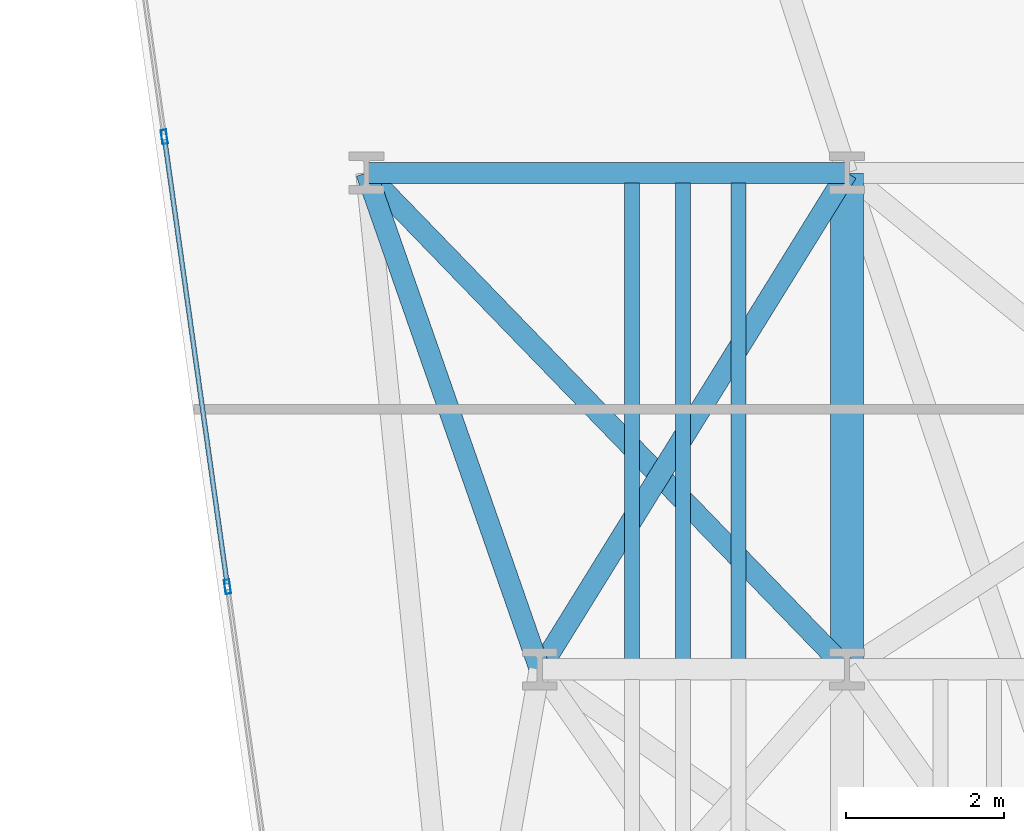
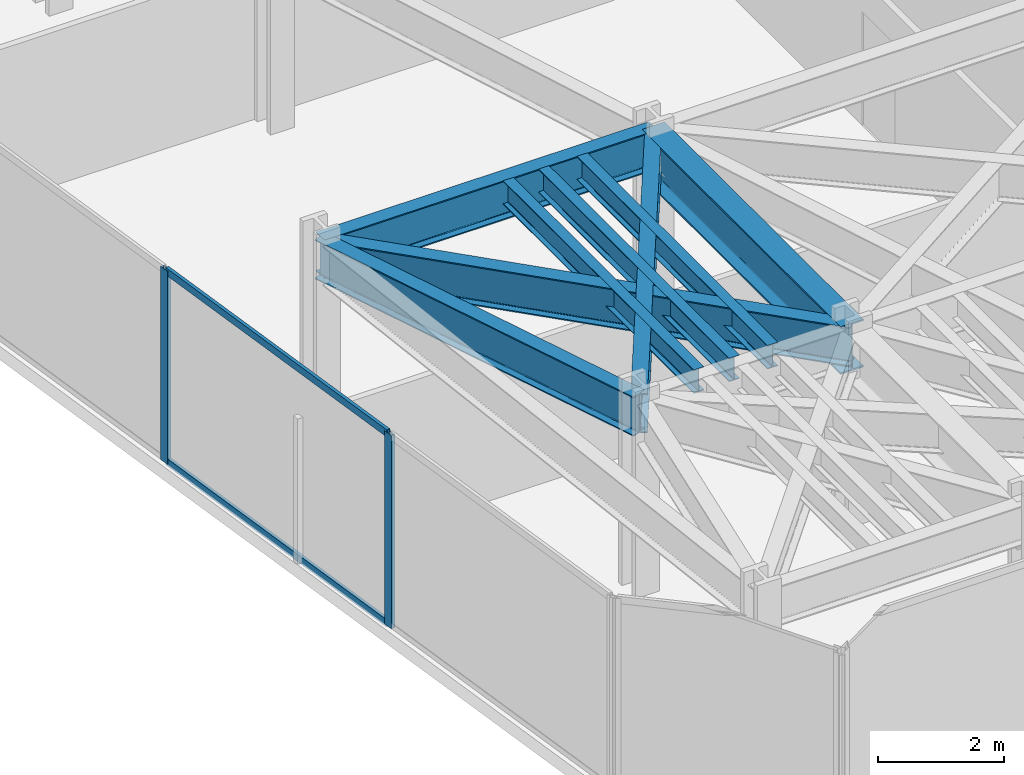
# One storey, part 4 of 24: 8 beams, 4 members, 1 element without a shape of its own.
"""IFC4 building model written with IfcOpenShell, lengths in metres."""

from ifc_helpers import new_model, si_unit, direction, frame, origin, origin_2d, place, context, subcontext, project, spatial, hollow_rectangle, i_section, extrude, material, layer, layer_set, material_profile, profile_set, type_object, element, aggregate, save


model = new_model("IFC4")

# Units and contexts
model_context = context("Model", 3, precision=1e-05, world=origin(), true_north=direction((0.0, 1.0)))
body_context = subcontext(model_context, "Body", "Model", "MODEL_VIEW")
ifc_project = project(units=[si_unit("LENGTHUNIT", "METRE"), si_unit("AREAUNIT", "SQUARE_METRE"), si_unit("VOLUMEUNIT", "CUBIC_METRE"), si_unit("PLANEANGLEUNIT", "RADIAN"), si_unit("MASSUNIT", "GRAM", prefix="KILO")], contexts=[model_context])

# Site, building, storey
site_placement = place(None, origin())
site = spatial("IfcSite", under=ifc_project, at=site_placement, CompositionType="ELEMENT")
building_placement = place(site_placement, origin())
building = spatial("IfcBuilding", under=site, at=building_placement, Name="Kravanh Interchange Tower", CompositionType="ELEMENT")
storey_placement = place(building_placement, frame((0.0, 0.0, 45.5)))
storey = spatial("IfcBuildingStorey", under=building, at=storey_placement, Name="L10", CompositionType="ELEMENT", Elevation=45.5)

# Curtain wall, members
ifc_material_1 = material(Name="Anodised Bronze Aluminium", Category="aluminium")
ifc_layer = layer(ifc_material_1, 0.179931640625)
ifc_layer_set = layer_set([ifc_layer], Name="Unitised Curtain Wall System CW-Z1 Lower Office")
curtain_wall_type = type_object("IfcCurtainWallType", Name="Unitised Curtain Wall System CW-Z1 Lower Office", PredefinedType="NOTDEFINED", material=ifc_layer_set)
curtain_wall_placement = place(storey_placement, origin())
curtain_wall = element("IfcCurtainWall", 1, at=curtain_wall_placement, inside=storey, type_object=curtain_wall_type, Name="L10 Unitised Curtain Wall CW-L10-01", PredefinedType="NOTDEFINED")
ifc_material_2 = material(Name="Anodised Bronze Aluminium", Category="aluminium")
ifc_material_profile_1 = material_profile(ifc_material_2, hollow_rectangle(XDim=0.070068359375, YDim=0.179931640625, WallThickness=0.00390625, at=origin_2d()), Name="ALU70X180X4")
ifc_profile_set_1 = profile_set([ifc_material_profile_1], Name="Anodised Bronze Aluminium")
member_type_1 = type_object("IfcMemberType", Name="Curtain Wall Mullion ALU70X180X4 Bronze", PredefinedType="MULLION", material=ifc_profile_set_1)
member_1_placement = place(storey_placement, frame((9.6376953125, 9.247314453125, 0.0), z_axis=(0.0, 0.0, 1.0), x_axis=(-0.990267585682, -0.139176538065, 0.0)))
member_1 = element("IfcMember", 2, at=member_1_placement, type_object=member_type_1, Name="CW-Z1 mullion 2", PredefinedType="MULLION", context=body_context, shape_type="SweptSolid", body=[
    extrude(hollow_rectangle(XDim=0.070068359375, YDim=0.179931640625, WallThickness=0.00390625, at=origin_2d()), origin(), (0.0, 0.0, 1.0), 3.739990234375),
])
member_2_placement = place(storey_placement, frame((8.835205078125, 14.957763671875, 0.0), z_axis=(0.0, 0.0, 1.0), x_axis=(-0.990267585682, -0.139176538065, 0.0)))
member_2 = element("IfcMember", 3, at=member_2_placement, type_object=member_type_1, Name="CW-Z1 mullion 3", PredefinedType="MULLION", context=body_context, shape_type="SweptSolid", body=[
    extrude(hollow_rectangle(XDim=0.070068359375, YDim=0.179931640625, WallThickness=0.00390625, at=origin_2d()), origin(), (0.0, 0.0, 1.0), 3.739990234375),
])
ifc_material_3 = material(Name="Anodised Bronze Aluminium", Category="aluminium")
ifc_material_profile_2 = material_profile(ifc_material_3, hollow_rectangle(XDim=0.06005859375, YDim=0.139892578125, WallThickness=0.00390625, at=origin_2d()), Name="ALU60X140X4")
ifc_profile_set_2 = profile_set([ifc_material_profile_2], Name="Anodised Bronze Aluminium")
member_type_2 = type_object("IfcMemberType", Name="Curtain Wall Transom ALU60X140X4 Bronze", PredefinedType="USERDEFINED", material=ifc_profile_set_2)
member_3_placement = place(storey_placement, frame((9.633056640625, 9.281982421875, 0.030029296875), z_axis=(-0.139200984921, 0.990264149506, 0.0), x_axis=(-0.990264149506, -0.139200984921, 0.0)))
member_3 = element("IfcMember", 4, at=member_3_placement, type_object=member_type_2, Name="CW-Z1 transom 2.1", ObjectType="TRANSOM", PredefinedType="USERDEFINED", context=body_context, shape_type="SweptSolid", body=[
    extrude(hollow_rectangle(XDim=0.06005859375, YDim=0.139892578125, WallThickness=0.00390625, at=origin_2d()), origin(), (0.0, 0.0, 1.0), 5.696533203125),
])
member_4_placement = place(storey_placement, frame((9.633056640625, 9.281982421875, 3.7099609375), z_axis=(-0.139200984921, 0.990264149506, 0.0), x_axis=(-0.990264149506, -0.139200984921, 0.0)))
member_4 = element("IfcMember", 5, at=member_4_placement, type_object=member_type_2, Name="CW-Z1 transom 2.2", ObjectType="TRANSOM", PredefinedType="USERDEFINED", context=body_context, shape_type="SweptSolid", body=[
    extrude(hollow_rectangle(XDim=0.06005859375, YDim=0.139892578125, WallThickness=0.00390625, at=origin_2d()), origin(), (0.0, 0.0, 1.0), 5.696533203125),
])
aggregate(curtain_wall, [member_1, member_2, member_3, member_4])

# Beams
ifc_material_4 = material(Name="Structural Steel S355", Category="steel")
ifc_material_profile_3 = material_profile(ifc_material_4, i_section(OverallWidth=0.41796875, OverallDepth=0.927001953125, WebThickness=0.019287109375, FlangeThickness=0.031982421875, FilletRadius=0.028076171875, at=origin_2d()), Name="W36X231")
ifc_profile_set_3 = profile_set([ifc_material_profile_3], Name="Structural Steel S355")
beam_type_1 = type_object("IfcBeamType", Name="Floor Beam W36X231 Structural Steel S355", PredefinedType="BEAM", material=ifc_profile_set_3)
beam_1_placement = place(storey_placement, frame((17.5, 8.199951171875, 3.276611328125), z_axis=(0.0, 1.0, 0.0), x_axis=(-1.0, 0.0, 0.0)))
element("IfcBeam", 6, at=beam_1_placement, inside=storey, type_object=beam_type_1, Name="L10 Primary Floor Girder 136", PredefinedType="BEAM", context=body_context, shape_type="SweptSolid", body=[
    extrude(i_section(OverallWidth=0.41796875, OverallDepth=0.927001953125, WebThickness=0.019287109375, FlangeThickness=0.031982421875, FilletRadius=0.028076171875, at=origin_2d()), origin(), (0.0, 0.0, 1.0), 6.300048828125),
])
ifc_material_5 = material(Name="Structural Steel S355", Category="steel")
ifc_material_profile_4 = material_profile(ifc_material_5, i_section(OverallWidth=0.18994140625, OverallDepth=0.45703125, WebThickness=0.009033203125, FlangeThickness=0.014404296875, FilletRadius=0.01806640625, at=origin_2d()), Name="W18X50")
ifc_profile_set_4 = profile_set([ifc_material_profile_4], Name="Structural Steel S355")
beam_type_2 = type_object("IfcBeamType", Name="Floor Joist W18X50 Structural Steel S355", PredefinedType="JOIST", material=ifc_profile_set_4)
for number, where, z_axis, x_axis, name in (
    (7, (14.77001953125, 8.32861328125, 3.511474609375), (0.0, 1.0, 0.0), (-1.0, 0.0, 0.0), "L10 Secondary Floor Joist 10"),
    (8, (15.419921875, 8.32861328125, 3.511474609375), (0.0, 1.0, 0.0), (-1.0, 0.0, 0.0), "L10 Secondary Floor Joist 11"),
    (9, (16.1220703125, 8.32861328125, 3.511474609375), (0.0, 1.0, 0.0), (-1.0, 0.0, 0.0), "L10 Secondary Floor Joist 12"),
):
    element("IfcBeam", number, at=place(storey_placement, frame(where, z_axis=z_axis, x_axis=x_axis)), inside=storey, type_object=beam_type_2, Name=name, PredefinedType="JOIST", context=body_context, shape_type="SweptSolid", body=[
        extrude(i_section(OverallWidth=0.18994140625, OverallDepth=0.45703125, WebThickness=0.009033203125, FlangeThickness=0.014404296875, FilletRadius=0.01806640625, at=origin_2d()), origin(), (0.0, 0.0, 1.0), 6.04296875),
    ])
ifc_material_6 = material(Name="Structural Steel S355", Category="steel")
ifc_material_profile_5 = material_profile(ifc_material_6, i_section(OverallWidth=0.26708984375, OverallDepth=0.761962890625, WebThickness=0.014404296875, FlangeThickness=0.021484375, FilletRadius=0.02490234375, at=origin_2d()), Name="W30X116")
ifc_profile_set_5 = profile_set([ifc_material_profile_5], Name="Structural Steel S355")
beam_type_3 = type_object("IfcBeamType", Name="Floor Spandrel W30X116 Structural Steel S355", PredefinedType="SPANDREL", material=ifc_profile_set_5)
beam_2_placement = place(storey_placement, frame((13.60009765625, 8.199951171875, 3.35888671875), z_axis=(-0.329706642337, 0.944083433812, 0.0), x_axis=(-0.944083433812, -0.329706642337, 0.0)))
element("IfcBeam", 10, at=beam_2_placement, inside=storey, type_object=beam_type_3, Name="L10 Perimeter Spandrel 134", PredefinedType="SPANDREL", context=body_context, shape_type="SweptSolid", body=[
    extrude(i_section(OverallWidth=0.26708984375, OverallDepth=0.761962890625, WebThickness=0.014404296875, FlangeThickness=0.021484375, FilletRadius=0.02490234375, at=origin_2d()), origin(), (0.0, 0.0, 1.0), 6.673095703125),
])
beam_3_placement = place(storey_placement, frame((13.60009765625, 8.199951171875, 3.35888671875), z_axis=(0.5263421368, 0.850272870923, 0.0), x_axis=(-0.850272870923, 0.5263421368, 0.0)))
element("IfcBeam", 11, at=beam_3_placement, inside=storey, type_object=beam_type_3, Name="L10 Perimeter Spandrel 135", PredefinedType="SPANDREL", context=body_context, shape_type="SweptSolid", body=[
    extrude(i_section(OverallWidth=0.26708984375, OverallDepth=0.761962890625, WebThickness=0.014404296875, FlangeThickness=0.021484375, FilletRadius=0.02490234375, at=origin_2d()), origin(), (0.0, 0.0, 1.0), 7.409423828125),
])
beam_4_placement = place(storey_placement, frame((17.5, 8.199951171875, 3.35888671875), z_axis=(-0.695614323867, 0.718415417729, 0.0), x_axis=(-0.718415417729, -0.695614323867, 0.0)))
element("IfcBeam", 12, at=beam_4_placement, inside=storey, type_object=beam_type_3, Name="L10 Perimeter Spandrel 138", PredefinedType="SPANDREL", context=body_context, shape_type="SweptSolid", body=[
    extrude(i_section(OverallWidth=0.26708984375, OverallDepth=0.761962890625, WebThickness=0.014404296875, FlangeThickness=0.021484375, FilletRadius=0.02490234375, at=origin_2d()), origin(), (0.0, 0.0, 1.0), 8.769287109375),
])
beam_5_placement = place(storey_placement, frame((11.39990234375, 14.5, 3.35888671875), z_axis=(1.0, 0.0, 0.0), x_axis=(0.0, 1.0, 0.0)))
element("IfcBeam", 13, at=beam_5_placement, inside=storey, type_object=beam_type_3, Name="L10 Perimeter Spandrel 143", PredefinedType="SPANDREL", context=body_context, shape_type="SweptSolid", body=[
    extrude(i_section(OverallWidth=0.26708984375, OverallDepth=0.761962890625, WebThickness=0.014404296875, FlangeThickness=0.021484375, FilletRadius=0.02490234375, at=origin_2d()), origin(), (0.0, 0.0, 1.0), 6.10009765625),
])

save(model, "model.ifc")
